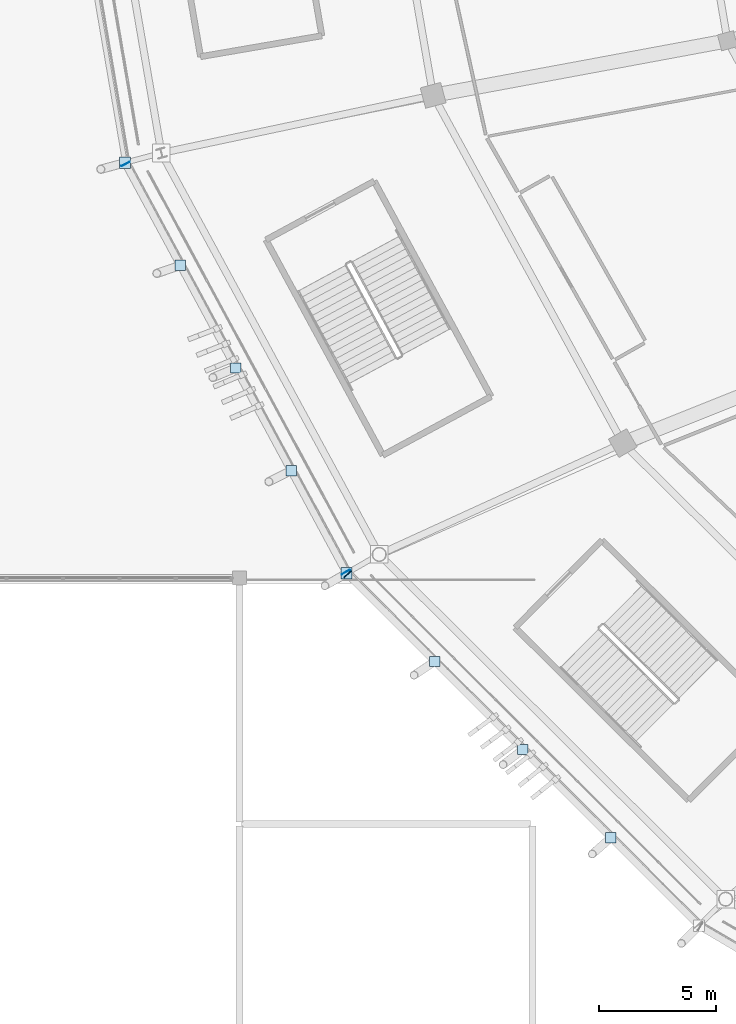
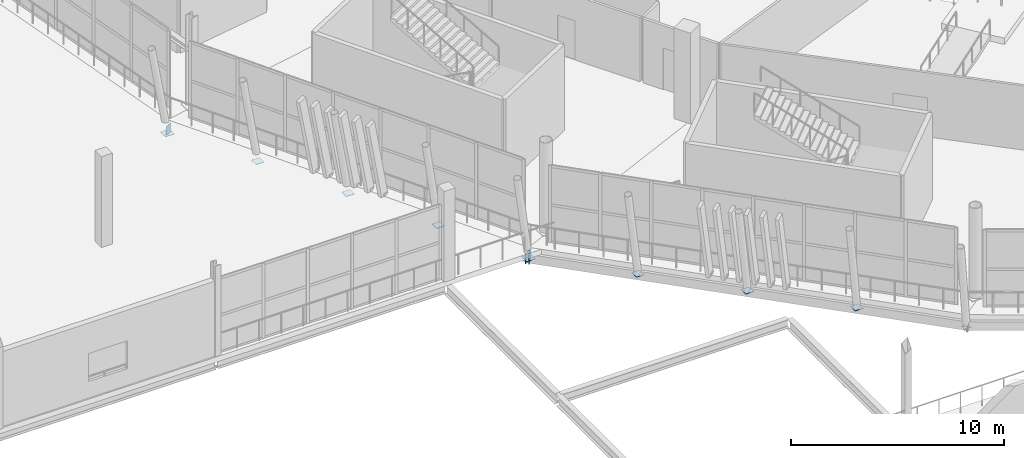
# One storey, part 104 of 178: 11 plates.
"""IFC4 building model written with IfcOpenShell, lengths in metres."""

from ifc_helpers import new_model, si_unit, direction, frame, origin, origin_2d, place, context, subcontext, project, spatial, rectangle, extrude, material, layer, layer_set, type_object, element, save


model = new_model("IFC4")

# Units and contexts
model_context = context("Model", 3, precision=1e-05, world=origin(), true_north=direction((0.0, 1.0)))
body_context = subcontext(model_context, "Body", "Model", "MODEL_VIEW")
ifc_project = project(units=[si_unit("LENGTHUNIT", "METRE"), si_unit("AREAUNIT", "SQUARE_METRE"), si_unit("VOLUMEUNIT", "CUBIC_METRE"), si_unit("PLANEANGLEUNIT", "RADIAN"), si_unit("MASSUNIT", "GRAM", prefix="KILO")], contexts=[model_context])

# Site, building, storey
site_placement = place(None, origin())
site = spatial("IfcSite", under=ifc_project, at=site_placement, CompositionType="ELEMENT")
building_placement = place(site_placement, origin())
building = spatial("IfcBuilding", under=site, at=building_placement, Name="Zlatoyarsky Gate Stadium", CompositionType="ELEMENT")
storey_placement = place(building_placement, frame((0.0, 0.0, 5.39990234375)))
storey = spatial("IfcBuildingStorey", under=building, at=storey_placement, Name="L01", CompositionType="ELEMENT", Elevation=5.39990234375)

# Plates
ifc_material = material(Name="Steel S355", Category="steel")
ifc_layer = layer(ifc_material, 0.02392578125)
ifc_layer_set = layer_set([ifc_layer], Name="Steel S355")
plate_type = type_object("IfcPlateType", Name="STEEL HOLLOW CHORD SPLICE SHEET 24", PredefinedType="SHEET", material=ifc_layer_set)
for number, where, z_axis, x_axis, name in (
    (1, (19.643798828125, 61.15478515625, -0.849853515625), (0.0, 0.0, 1.0), (0.474957557599, -0.880008703639, 0.0), "Hollow end cap ND-SP1 CAP-L01-SPD-13 A"),
    (2, (29.0380859375, 43.74853515625, -0.849853515625), (0.0, 0.0, 1.0), (0.474957557599, -0.880008703639, 0.0), "Hollow end cap ND-SP1 CAP-L01-SPD-13 B"),
):
    element("IfcPlate", number, at=place(storey_placement, frame(where, z_axis=z_axis, x_axis=x_axis)), inside=storey, type_object=plate_type, Name=name, PredefinedType="SHEET", context=body_context, shape_type="SweptSolid", body=[
        extrude(rectangle(XDim=0.02392578125, YDim=0.39990234375, at=origin_2d()), origin(), (0.0, 0.0, 1.0), 0.60009765625),
    ])
plate_1_placement = place(storey_placement, frame((19.615234375, 61.20751953125, -0.77197265625), z_axis=(0.0, 0.0, 1.0), x_axis=(1.0, 0.0, 0.0)))
element("IfcPlate", 3, at=plate_1_placement, inside=storey, type_object=plate_type, Name="Node closure plate ND-SP1 NCAP-L01-RSTR-13", PredefinedType="SHEET", context=body_context, shape_type="SweptSolid", body=[
    extrude(rectangle(XDim=0.47998046875, YDim=0.47998046875, at=origin_2d()), origin(), (0.0, 0.0, 1.0), 0.02392578125),
])
plate_2_placement = place(storey_placement, frame((29.10888671875, 43.6533203125, -0.849853515625), z_axis=(0.0, 0.0, 1.0), x_axis=(0.707043292995, -0.707170263678, 0.0)))
element("IfcPlate", 4, at=plate_2_placement, inside=storey, type_object=plate_type, Name="Hollow end cap ND-SP1 CAP-L01-SPD-14 A", PredefinedType="SHEET", context=body_context, shape_type="SweptSolid", body=[
    extrude(rectangle(XDim=0.02392578125, YDim=0.39990234375, at=origin_2d()), origin(), (0.0, 0.0, 1.0), 0.60009765625),
])
plate_3_placement = place(storey_placement, frame((29.066650390625, 43.69580078125, -0.61181640625), z_axis=(0.0, 0.0, 1.0), x_axis=(1.0, 0.0, 0.0)))
element("IfcPlate", 5, at=plate_3_placement, inside=storey, type_object=plate_type, Name="Node closure plate ND-SP1 NCAP-L01-RSTR-14", PredefinedType="SHEET", context=body_context, shape_type="SweptSolid", body=[
    extrude(rectangle(XDim=0.47998046875, YDim=0.47998046875, at=origin_2d()), origin(), (0.0, 0.0, 1.0), 0.02392578125),
])
for number, where, z_axis, x_axis, name in (
    (6, (21.97802734375, 56.82958984375, -0.561767578125), (0.0, 0.0, 1.0), (1.0, 0.0, 0.0), "Node closure plate ND-SP1 NCAP-RIB-13-1-0B"),
    (7, (24.3408203125, 52.45166015625, -0.561767578125), (0.0, 0.0, 1.0), (1.0, 0.0, 0.0), "Node closure plate ND-SP1 NCAP-RIB-13-2-0B"),
    (8, (26.70361328125, 48.07373046875, -0.561767578125), (0.0, 0.0, 1.0), (1.0, 0.0, 0.0), "Node closure plate ND-SP1 NCAP-RIB-13-3-0B"),
    (9, (32.825439453125, 39.936279296875, -0.561767578125), (0.0, 0.0, 1.0), (1.0, 0.0, 0.0), "Node closure plate ND-SP1 NCAP-RIB-14-1-0B"),
    (10, (36.584228515625, 36.177001953125, -0.561767578125), (0.0, 0.0, 1.0), (1.0, 0.0, 0.0), "Node closure plate ND-SP1 NCAP-RIB-14-2-0B"),
    (11, (40.343017578125, 32.41748046875, -0.561767578125), (0.0, 0.0, 1.0), (1.0, 0.0, 0.0), "Node closure plate ND-SP1 NCAP-RIB-14-3-0B"),
):
    element("IfcPlate", number, at=place(storey_placement, frame(where, z_axis=z_axis, x_axis=x_axis)), inside=storey, type_object=plate_type, Name=name, PredefinedType="SHEET", context=body_context, shape_type="SweptSolid", body=[
        extrude(rectangle(XDim=0.43994140625, YDim=0.43994140625, at=origin_2d()), origin(), (0.0, 0.0, 1.0), 0.02392578125),
    ])

save(model, "model.ifc")
